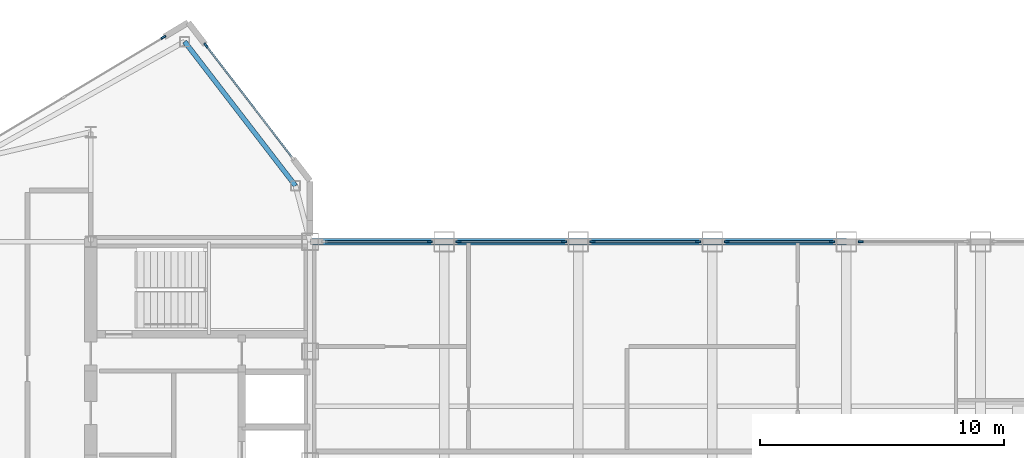
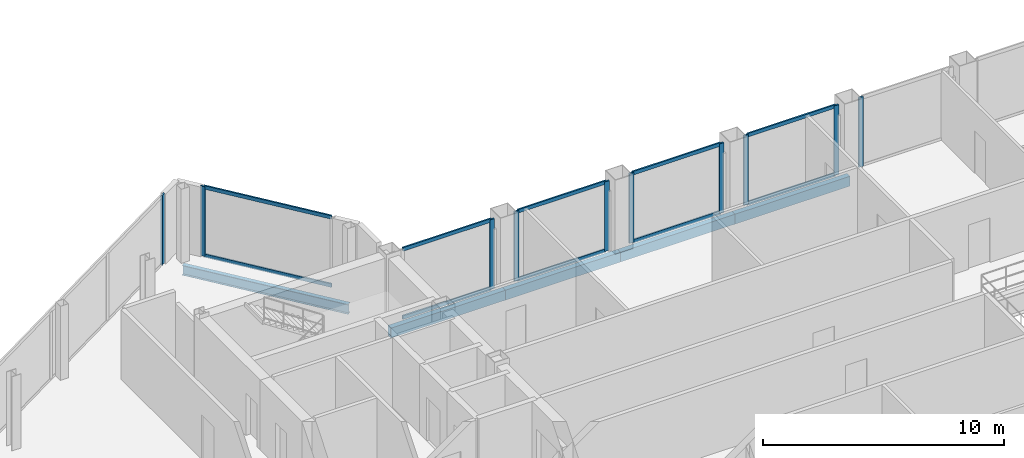
# One storey, part 12 of 29: 20 members, 5 beams, 7 elements without a shape of their own.
"""IFC4 building model written with IfcOpenShell, lengths in metres."""

from ifc_helpers import new_model, si_unit, direction, frame, origin, origin_2d, place, context, subcontext, project, spatial, rectangle, hollow_rectangle, i_section, extrude, source, transform, mapped, material, layer, layer_set, material_profile, profile_set, type_object, type_shapes, element, aggregate, save


model = new_model("IFC4")

# Units and contexts
model_context = context("Model", 3, precision=1e-05, world=origin(), true_north=direction((0.0, 1.0)))
body_context = subcontext(model_context, "Body", "Model", "MODEL_VIEW")
ifc_project = project(units=[si_unit("LENGTHUNIT", "METRE"), si_unit("AREAUNIT", "SQUARE_METRE"), si_unit("VOLUMEUNIT", "CUBIC_METRE"), si_unit("PLANEANGLEUNIT", "RADIAN"), si_unit("MASSUNIT", "GRAM", prefix="KILO")], contexts=[model_context])

# Site, building, storey
site_placement = place(None, origin())
site = spatial("IfcSite", under=ifc_project, at=site_placement, CompositionType="ELEMENT")
building_placement = place(site_placement, origin())
building = spatial("IfcBuilding", under=site, at=building_placement, Name="Seokmaru Belvedere", CompositionType="ELEMENT")
storey_placement = place(building_placement, frame((0.0, 0.0, 258.14990234375)))
storey = spatial("IfcBuildingStorey", under=building, at=storey_placement, Name="L68", CompositionType="ELEMENT", Elevation=258.14990234375)

# Beams
ifc_material_1 = material(Name="Steel SM355 (355 MPa)", Category="steel")
ifc_material_profile_1 = material_profile(ifc_material_1, i_section(OverallWidth=0.199951171875, OverallDepth=0.5, WebThickness=0.010009765625, FlangeThickness=0.01611328125, at=origin_2d()), Name="H-500x200x10x16")
ifc_profile_set_1 = profile_set([ifc_material_profile_1], Name="Steel SM355 (355 MPa)")
beam_type_1 = type_object("IfcBeamType", Name="Perimeter Spandrel Beam H-500", PredefinedType="SPANDREL", material=ifc_profile_set_1)
shared_shape_1 = source(origin(), body_context, "Body", "SweptSolid", [
    extrude(i_section(OverallWidth=0.199951171875, OverallDepth=0.5, WebThickness=0.010009765625, FlangeThickness=0.01611328125, at=origin_2d()), origin(), (0.0, 0.0, 1.0), 7.4619140625),
])
type_shapes(beam_type_1, [shared_shape_1])
beam_placement = place(storey_placement, frame((-32.649658203125, 21.71044921875, -0.469970703125), z_axis=(0.609702854945, -0.792630070507, 0.0), x_axis=(0.792630070507, 0.609702854945, 0.0)))
element("IfcBeam", 1, at=beam_placement, inside=storey, type_object=beam_type_1, Name="L68 W Shoulder Chamfer Spandrel N", PredefinedType="SPANDREL", context=body_context, shape_type="MappedRepresentation", body=[
    mapped(shared_shape_1, transform((0.0, 0.0, 0.0), scale=1.0)),
])
ifc_material_profile_2 = material_profile(ifc_material_1, hollow_rectangle(XDim=0.25, YDim=0.5, WallThickness=0.013916015625, at=origin_2d()), Name="RHS-500x250x14")
ifc_profile_set_2 = profile_set([ifc_material_profile_2], Name="Steel SM355 (355 MPa)")
beam_type_2 = type_object("IfcBeamType", Name="Bridge Edge Spandrel RHS-500", PredefinedType="SPANDREL", material=ifc_profile_set_2)
shared_shape_2 = source(origin(), body_context, "Body", "SweptSolid", [
    extrude(hollow_rectangle(XDim=0.25, YDim=0.5, WallThickness=0.013916015625, at=origin_2d()), origin(), (0.0, 0.0, 1.0), 5.5),
])
type_shapes(beam_type_2, [shared_shape_2])
for number, where, z_axis, x_axis, name in (
    (2, (-27.5, 13.5, -0.469970703125), (1.0, 0.0, 0.0), (0.0, 1.0, 0.0), "L68 Sky-Gate Bridge Edge Girder N-01"),
    (3, (-22.0, 13.5, -0.469970703125), (1.0, 0.0, 0.0), (0.0, 1.0, 0.0), "L68 Sky-Gate Bridge Edge Girder N-02"),
    (4, (-16.5, 13.5, -0.469970703125), (1.0, 0.0, 0.0), (0.0, 1.0, 0.0), "L68 Sky-Gate Bridge Edge Girder N-03"),
    (5, (-11.0, 13.5, -0.469970703125), (1.0, 0.0, 0.0), (0.0, 1.0, 0.0), "L68 Sky-Gate Bridge Edge Girder N-04"),
):
    element("IfcBeam", number, at=place(storey_placement, frame(where, z_axis=z_axis, x_axis=x_axis)), inside=storey, type_object=beam_type_2, Name=name, PredefinedType="SPANDREL", context=body_context, shape_type="MappedRepresentation", body=[
        mapped(shared_shape_2, transform((0.0, 0.0, 0.0), scale=1.0)),
    ])

# Curtain wall, members
ifc_material_2 = material(Name="Bronze Triple Insulating Glass", Category="glass")
ifc_layer = layer(ifc_material_2, 0.219970703125)
ifc_layer_set = layer_set([ifc_layer], Name="Bronze Triple Insulating Glass")
curtain_wall_type = type_object("IfcCurtainWallType", Name="Sky-Gate Bridge Panorama Curtain Wall System CW-6", PredefinedType="NOTDEFINED", material=ifc_layer_set)
curtain_wall_1_placement = place(storey_placement, origin())
curtain_wall_1 = element("IfcCurtainWall", 6, at=curtain_wall_1_placement, inside=storey, type_object=curtain_wall_type, Name="L68 Curtain Wall WF2", PredefinedType="NOTDEFINED")
ifc_material_3 = material(Name="Anodised Bronze Aluminium", Category="aluminium")
ifc_material_profile_3 = material_profile(ifc_material_3, rectangle(XDim=0.074951171875, YDim=0.179931640625, at=origin_2d()), Name="CW-T-75x180")
ifc_profile_set_3 = profile_set([ifc_material_profile_3], Name="Anodised Bronze Aluminium")
member_type_1 = type_object("IfcMemberType", Name="Bronze Unitised Transom 75x180", PredefinedType="USERDEFINED", material=ifc_profile_set_3)
shared_shape_3 = source(origin(), body_context, "Body", "SweptSolid", [
    extrude(rectangle(XDim=0.074951171875, YDim=0.179931640625, at=origin_2d()), origin(), (0.0, 0.0, 1.0), 5.74072265625),
])
member_1_placement = place(storey_placement, frame((-28.25, 16.974853515625, 0.03759765625), z_axis=(-0.609686097287, 0.792642960465, 0.0), x_axis=(-0.792642960465, -0.609686097287, 0.0)))
member_1 = element("IfcMember", 7, at=member_1_placement, type_object=member_type_1, Name="CW:L68:WF2 Continuous Transom 1", ObjectType="TRANSOM", PredefinedType="USERDEFINED", context=body_context, shape_type="MappedRepresentation", body=[
    mapped(shared_shape_3, transform((0.0, 0.0, 0.0), scale=1.0)),
])
member_2_placement = place(storey_placement, frame((-28.25, 16.974853515625, 3.49267578125), z_axis=(-0.609686097287, 0.792642960465, 0.0), x_axis=(-0.792642960465, -0.609686097287, 0.0)))
member_2 = element("IfcMember", 8, at=member_2_placement, type_object=member_type_1, Name="CW:L68:WF2 Continuous Transom 2", ObjectType="TRANSOM", PredefinedType="USERDEFINED", context=body_context, shape_type="MappedRepresentation", body=[
    mapped(shared_shape_3, transform((0.0, 0.0, 0.0), scale=1.0)),
])

curtain_wall_2_placement = place(storey_placement, origin())
curtain_wall_2 = element("IfcCurtainWall", 9, at=curtain_wall_2_placement, inside=storey, type_object=curtain_wall_type, Name="L68 Curtain Wall BR_N01", PredefinedType="NOTDEFINED")
shared_shape_4 = source(origin(), body_context, "Body", "SweptSolid", [
    extrude(rectangle(XDim=0.074951171875, YDim=0.179931640625, at=origin_2d()), origin(), (0.0, 0.0, 1.0), 4.240234375),
])
type_shapes(member_type_1, [shared_shape_3, shared_shape_4])
member_3_placement = place(storey_placement, frame((-22.6298828125, 13.5, 0.03759765625), z_axis=(-1.0, 0.0, 0.0), x_axis=(0.0, -1.0, 0.0)))
member_3 = element("IfcMember", 10, at=member_3_placement, type_object=member_type_1, Name="CW:L68:BR_N01 Continuous Transom 1", ObjectType="TRANSOM", PredefinedType="USERDEFINED", context=body_context, shape_type="MappedRepresentation", body=[
    mapped(shared_shape_4, transform((0.0, 0.0, 0.0), scale=1.0)),
])
member_4_placement = place(storey_placement, frame((-22.6298828125, 13.5, 3.49267578125), z_axis=(-1.0, 0.0, 0.0), x_axis=(0.0, -1.0, 0.0)))
member_4 = element("IfcMember", 11, at=member_4_placement, type_object=member_type_1, Name="CW:L68:BR_N01 Continuous Transom 2", ObjectType="TRANSOM", PredefinedType="USERDEFINED", context=body_context, shape_type="MappedRepresentation", body=[
    mapped(shared_shape_4, transform((0.0, 0.0, 0.0), scale=1.0)),
])

curtain_wall_3_placement = place(storey_placement, origin())
curtain_wall_3 = element("IfcCurtainWall", 12, at=curtain_wall_3_placement, inside=storey, type_object=curtain_wall_type, Name="L68 Curtain Wall BR_N02", PredefinedType="NOTDEFINED")
member_5_placement = place(storey_placement, frame((-17.1298828125, 13.5, 0.03759765625), z_axis=(-1.0, 0.0, 0.0), x_axis=(0.0, -1.0, 0.0)))
member_5 = element("IfcMember", 13, at=member_5_placement, type_object=member_type_1, Name="CW:L68:BR_N02 Continuous Transom 1", ObjectType="TRANSOM", PredefinedType="USERDEFINED", context=body_context, shape_type="MappedRepresentation", body=[
    mapped(shared_shape_4, transform((0.0, 0.0, 0.0), scale=1.0)),
])
member_6_placement = place(storey_placement, frame((-17.1298828125, 13.5, 3.49267578125), z_axis=(-1.0, 0.0, 0.0), x_axis=(0.0, -1.0, 0.0)))
member_6 = element("IfcMember", 14, at=member_6_placement, type_object=member_type_1, Name="CW:L68:BR_N02 Continuous Transom 2", ObjectType="TRANSOM", PredefinedType="USERDEFINED", context=body_context, shape_type="MappedRepresentation", body=[
    mapped(shared_shape_4, transform((0.0, 0.0, 0.0), scale=1.0)),
])

curtain_wall_4_placement = place(storey_placement, origin())
curtain_wall_4 = element("IfcCurtainWall", 15, at=curtain_wall_4_placement, inside=storey, type_object=curtain_wall_type, Name="L68 Curtain Wall BR_N03", PredefinedType="NOTDEFINED")
member_7_placement = place(storey_placement, frame((-11.6298828125, 13.5, 0.03759765625), z_axis=(-1.0, 0.0, 0.0), x_axis=(0.0, -1.0, 0.0)))
member_7 = element("IfcMember", 16, at=member_7_placement, type_object=member_type_1, Name="CW:L68:BR_N03 Continuous Transom 1", ObjectType="TRANSOM", PredefinedType="USERDEFINED", context=body_context, shape_type="MappedRepresentation", body=[
    mapped(shared_shape_4, transform((0.0, 0.0, 0.0), scale=1.0)),
])
member_8_placement = place(storey_placement, frame((-11.6298828125, 13.5, 3.49267578125), z_axis=(-1.0, 0.0, 0.0), x_axis=(0.0, -1.0, 0.0)))
member_8 = element("IfcMember", 17, at=member_8_placement, type_object=member_type_1, Name="CW:L68:BR_N03 Continuous Transom 2", ObjectType="TRANSOM", PredefinedType="USERDEFINED", context=body_context, shape_type="MappedRepresentation", body=[
    mapped(shared_shape_4, transform((0.0, 0.0, 0.0), scale=1.0)),
])

curtain_wall_5_placement = place(storey_placement, origin())
curtain_wall_5 = element("IfcCurtainWall", 18, at=curtain_wall_5_placement, inside=storey, type_object=curtain_wall_type, Name="L68 Curtain Wall BR_N04", PredefinedType="NOTDEFINED")
member_9_placement = place(storey_placement, frame((-6.1298828125, 13.5, 0.03759765625), z_axis=(-1.0, 0.0, 0.0), x_axis=(0.0, -1.0, 0.0)))
member_9 = element("IfcMember", 19, at=member_9_placement, type_object=member_type_1, Name="CW:L68:BR_N04 Continuous Transom 1", ObjectType="TRANSOM", PredefinedType="USERDEFINED", context=body_context, shape_type="MappedRepresentation", body=[
    mapped(shared_shape_4, transform((0.0, 0.0, 0.0), scale=1.0)),
])
member_10_placement = place(storey_placement, frame((-6.1298828125, 13.5, 3.49267578125), z_axis=(-1.0, 0.0, 0.0), x_axis=(0.0, -1.0, 0.0)))
member_10 = element("IfcMember", 20, at=member_10_placement, type_object=member_type_1, Name="CW:L68:BR_N04 Continuous Transom 2", ObjectType="TRANSOM", PredefinedType="USERDEFINED", context=body_context, shape_type="MappedRepresentation", body=[
    mapped(shared_shape_4, transform((0.0, 0.0, 0.0), scale=1.0)),
])

# Member
ifc_material_profile_4 = material_profile(ifc_material_3, rectangle(XDim=0.080078125, YDim=0.219970703125, at=origin_2d()), Name="CW-M-80x220")
ifc_profile_set_4 = profile_set([ifc_material_profile_4], Name="Anodised Bronze Aluminium")
member_type_2 = type_object("IfcMemberType", Name="Bronze Unitised Mullion 80x220", PredefinedType="MULLION", material=ifc_profile_set_4)
shared_shape_5 = source(origin(), body_context, "Body", "SweptSolid", [
    extrude(rectangle(XDim=0.080078125, YDim=0.219970703125, at=origin_2d()), origin(), (0.0, 0.0, 1.0), 3.530029296875),
])
type_shapes(member_type_2, [shared_shape_5])
member_11_placement = place(storey_placement, frame((-31.7744140625, 21.556884765625, 0.0), z_axis=(0.0, 0.0, 1.0), x_axis=(-0.792631353244, -0.609701187349, 0.0)))
member_11 = element("IfcMember", 21, at=member_11_placement, type_object=member_type_2, Name="CW:L68:WF2 Mullion 2", PredefinedType="MULLION", context=body_context, shape_type="MappedRepresentation", body=[
    mapped(shared_shape_5, transform((0.0, 0.0, 0.0), scale=1.0)),
])

aggregate(curtain_wall_1, [member_11, member_1, member_2])

# Curtain wall, member
curtain_wall_6_placement = place(storey_placement, origin())
curtain_wall_6 = element("IfcCurtainWall", 22, at=curtain_wall_6_placement, inside=storey, type_object=curtain_wall_type, Name="L68 Curtain Wall WF3", PredefinedType="NOTDEFINED")
member_12_placement = place(storey_placement, frame((-33.5205078125, 21.8876953125, 0.0), z_axis=(0.0, 0.0, 1.0), x_axis=(0.514494909364, -0.85749343335, 0.0)))
member_12 = element("IfcMember", 23, at=member_12_placement, type_object=member_type_2, Name="CW:L68:WF3 Mullion 1", PredefinedType="MULLION", context=body_context, shape_type="MappedRepresentation", body=[
    mapped(shared_shape_5, transform((0.0, 0.0, 0.0), scale=1.0)),
])
aggregate(curtain_wall_6, [member_12])

# Member
member_13_placement = place(storey_placement, frame((-22.590087890625, 13.5, 0.0), z_axis=(0.0, 0.0, 1.0), x_axis=(0.0, -1.0, 0.0)))
member_13 = element("IfcMember", 24, at=member_13_placement, type_object=member_type_2, Name="CW:L68:BR_N01 Mullion 1", PredefinedType="MULLION", context=body_context, shape_type="MappedRepresentation", body=[
    mapped(shared_shape_5, transform((0.0, 0.0, 0.0), scale=1.0)),
])

aggregate(curtain_wall_2, [member_13, member_3, member_4])

member_14_placement = place(storey_placement, frame((-17.090087890625, 13.5, 0.0), z_axis=(0.0, 0.0, 1.0), x_axis=(0.0, -1.0, 0.0)))
member_14 = element("IfcMember", 25, at=member_14_placement, type_object=member_type_2, Name="CW:L68:BR_N02 Mullion 1", PredefinedType="MULLION", context=body_context, shape_type="MappedRepresentation", body=[
    mapped(shared_shape_5, transform((0.0, 0.0, 0.0), scale=1.0)),
])

member_15_placement = place(storey_placement, frame((-21.409912109375, 13.5, 0.0), z_axis=(0.0, 0.0, 1.0), x_axis=(0.0, -1.0, 0.0)))
member_15 = element("IfcMember", 26, at=member_15_placement, type_object=member_type_2, Name="CW:L68:BR_N02 Mullion 2", PredefinedType="MULLION", context=body_context, shape_type="MappedRepresentation", body=[
    mapped(shared_shape_5, transform((0.0, 0.0, 0.0), scale=1.0)),
])

aggregate(curtain_wall_3, [member_14, member_15, member_5, member_6])

member_16_placement = place(storey_placement, frame((-11.590087890625, 13.5, 0.0), z_axis=(0.0, 0.0, 1.0), x_axis=(0.0, -1.0, 0.0)))
member_16 = element("IfcMember", 27, at=member_16_placement, type_object=member_type_2, Name="CW:L68:BR_N03 Mullion 1", PredefinedType="MULLION", context=body_context, shape_type="MappedRepresentation", body=[
    mapped(shared_shape_5, transform((0.0, 0.0, 0.0), scale=1.0)),
])

member_17_placement = place(storey_placement, frame((-15.909912109375, 13.5, 0.0), z_axis=(0.0, 0.0, 1.0), x_axis=(0.0, -1.0, 0.0)))
member_17 = element("IfcMember", 28, at=member_17_placement, type_object=member_type_2, Name="CW:L68:BR_N03 Mullion 2", PredefinedType="MULLION", context=body_context, shape_type="MappedRepresentation", body=[
    mapped(shared_shape_5, transform((0.0, 0.0, 0.0), scale=1.0)),
])

aggregate(curtain_wall_4, [member_16, member_17, member_7, member_8])

member_18_placement = place(storey_placement, frame((-6.090087890625, 13.5, 0.0), z_axis=(0.0, 0.0, 1.0), x_axis=(0.0, -1.0, 0.0)))
member_18 = element("IfcMember", 29, at=member_18_placement, type_object=member_type_2, Name="CW:L68:BR_N04 Mullion 1", PredefinedType="MULLION", context=body_context, shape_type="MappedRepresentation", body=[
    mapped(shared_shape_5, transform((0.0, 0.0, 0.0), scale=1.0)),
])

member_19_placement = place(storey_placement, frame((-10.409912109375, 13.5, 0.0), z_axis=(0.0, 0.0, 1.0), x_axis=(0.0, -1.0, 0.0)))
member_19 = element("IfcMember", 30, at=member_19_placement, type_object=member_type_2, Name="CW:L68:BR_N04 Mullion 2", PredefinedType="MULLION", context=body_context, shape_type="MappedRepresentation", body=[
    mapped(shared_shape_5, transform((0.0, 0.0, 0.0), scale=1.0)),
])

aggregate(curtain_wall_5, [member_18, member_19, member_9, member_10])

# Curtain wall, member
curtain_wall_7_placement = place(storey_placement, origin())
curtain_wall_7 = element("IfcCurtainWall", 31, at=curtain_wall_7_placement, inside=storey, type_object=curtain_wall_type, Name="L68 Curtain Wall BR_N05", PredefinedType="NOTDEFINED")
member_20_placement = place(storey_placement, frame((-4.909912109375, 13.5, 0.0), z_axis=(0.0, 0.0, 1.0), x_axis=(0.0, -1.0, 0.0)))
member_20 = element("IfcMember", 32, at=member_20_placement, type_object=member_type_2, Name="CW:L68:BR_N05 Mullion 2", PredefinedType="MULLION", context=body_context, shape_type="MappedRepresentation", body=[
    mapped(shared_shape_5, transform((0.0, 0.0, 0.0), scale=1.0)),
])
aggregate(curtain_wall_7, [member_20])

save(model, "model.ifc")
